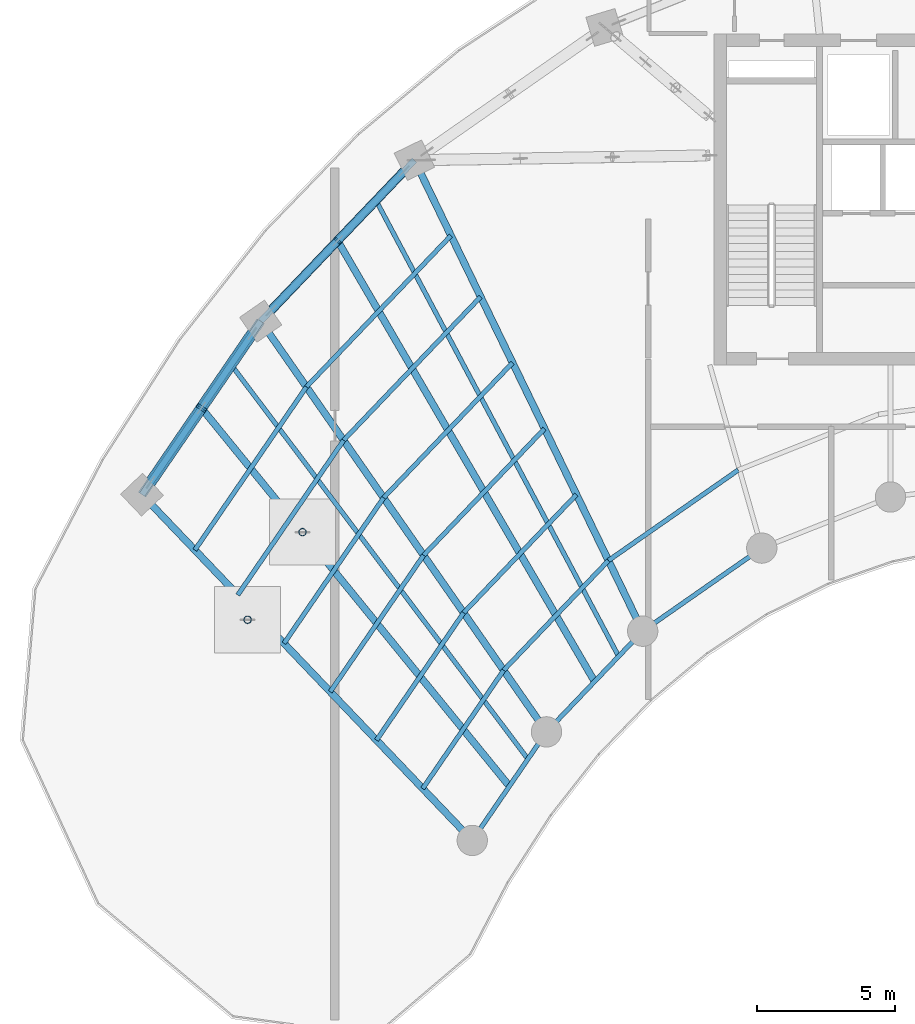
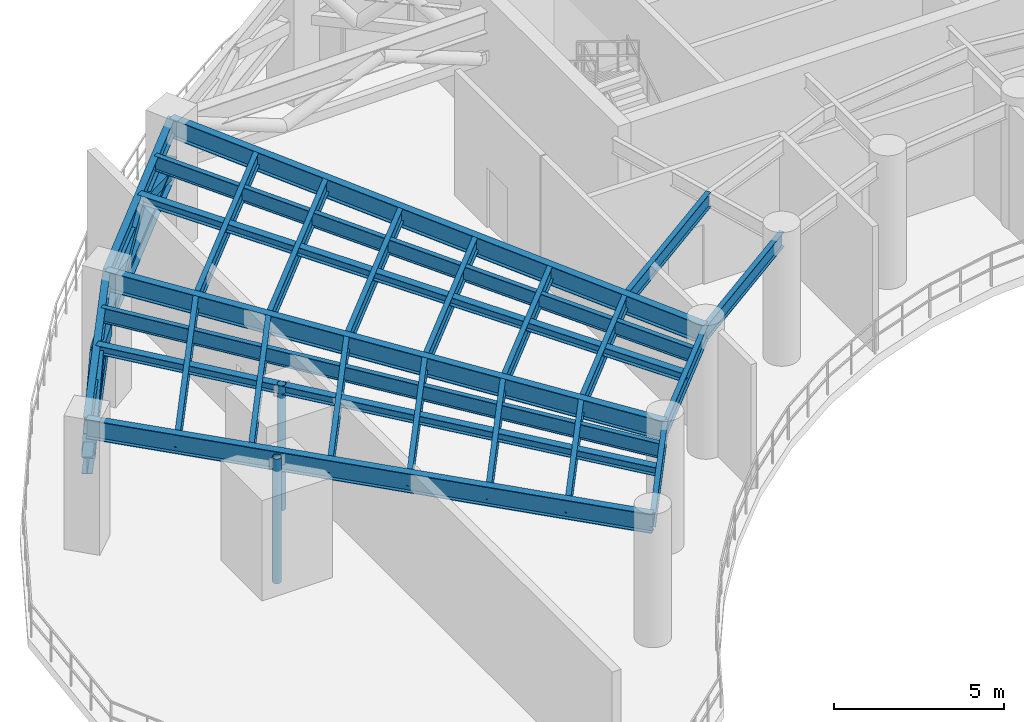
# One storey, part 2 of 24: 27 beams, 6 members.
"""IFC4 building model written with IfcOpenShell, lengths in metres."""

from ifc_helpers import new_model, si_unit, direction, frame, origin, origin_2d, place, context, subcontext, project, spatial, hollow_rectangle, hollow_circle, i_section, extrude, source, transform, mapped, material, material_profile, profile_set, type_object, type_shapes, element, save


model = new_model("IFC4")

# Units and contexts
model_context = context("Model", 3, precision=1e-05, world=origin(), true_north=direction((0.0, 1.0)))
body_context = subcontext(model_context, "Body", "Model", "MODEL_VIEW")
ifc_project = project(units=[si_unit("LENGTHUNIT", "METRE"), si_unit("AREAUNIT", "SQUARE_METRE"), si_unit("VOLUMEUNIT", "CUBIC_METRE"), si_unit("PLANEANGLEUNIT", "RADIAN"), si_unit("MASSUNIT", "GRAM", prefix="KILO")], contexts=[model_context])

# Site, building, storey
site_placement = place(None, origin())
site = spatial("IfcSite", under=ifc_project, at=site_placement, CompositionType="ELEMENT")
building_placement = place(site_placement, origin())
building = spatial("IfcBuilding", under=site, at=building_placement, Name="Breltana Convention Tower", CompositionType="ELEMENT")
storey_placement = place(building_placement, frame((0.0, 0.0, 189.60009765625)))
storey = spatial("IfcBuildingStorey", under=building, at=storey_placement, Name="L46", CompositionType="ELEMENT", Elevation=189.60009765625)

# Beams
ifc_material_1 = material(Name="Steel ASTM A992 Grade 50", Category="steel")
ifc_material_profile_1 = material_profile(ifc_material_1, i_section(OverallWidth=0.323974609375, OverallDepth=0.611083984375, WebThickness=0.0126953125, FlangeThickness=0.01904296875, at=origin_2d()), Name="W24X104")
ifc_profile_set_1 = profile_set([ifc_material_profile_1], Name="Steel ASTM A992 Grade 50")
beam_type_1 = type_object("IfcBeamType", Name="BM-SP-W24X104", PredefinedType="SPANDREL", material=ifc_profile_set_1)
shared_shape_1 = source(origin(), body_context, "Body", "SweptSolid", [
    extrude(i_section(OverallWidth=0.323974609375, OverallDepth=0.611083984375, WebThickness=0.0126953125, FlangeThickness=0.01904296875, at=origin_2d()), origin(), (0.0, 0.0, 1.0), 7.625),
])
type_shapes(beam_type_1, [shared_shape_1])
beam_1_placement = place(storey_placement, frame((16.0068359375, 55.494384765625, 2.75), z_axis=(0.564452031902, 0.825465870694, 0.0), x_axis=(-0.825465870694, 0.564452031902, 0.0)))
element("IfcBeam", 1, at=beam_1_placement, inside=storey, type_object=beam_type_1, Name="L46 Perimeter Belt Truss Sill Chord 01", PredefinedType="SPANDREL", context=body_context, shape_type="MappedRepresentation", body=[
    mapped(shared_shape_1, transform((0.0, 0.0, 0.0), scale=1.0)),
])
shared_shape_2 = source(origin(), body_context, "Body", "SweptSolid", [
    extrude(i_section(OverallWidth=0.323974609375, OverallDepth=0.611083984375, WebThickness=0.0126953125, FlangeThickness=0.01904296875, at=origin_2d()), origin(), (0.0, 0.0, 1.0), 8.073974609375),
])
beam_2_placement = place(storey_placement, frame((20.310791015625, 61.78857421875, 2.75), z_axis=(0.69072885448, 0.723113856588, 0.0), x_axis=(-0.723113856588, 0.69072885448, 0.0)))
element("IfcBeam", 2, at=beam_2_placement, inside=storey, type_object=beam_type_1, Name="L46 Perimeter Belt Truss Sill Chord 02", PredefinedType="SPANDREL", context=body_context, shape_type="MappedRepresentation", body=[
    mapped(shared_shape_2, transform((0.0, 0.0, 0.0), scale=1.0)),
])

# Members
ifc_material_2 = material(Name="Steel EN 10210 S355J2H", Category="steel")
ifc_material_profile_2 = material_profile(ifc_material_2, hollow_rectangle(XDim=0.39990234375, YDim=0.39990234375, WallThickness=0.01611328125, at=origin_2d()), Name="RHS400X400X16")
ifc_profile_set_2 = profile_set([ifc_material_profile_2], Name="Steel EN 10210 S355J2H")
member_type_1 = type_object("IfcMemberType", Name="MB-BR-RHS400X400X16", PredefinedType="BRACE", material=ifc_profile_set_2)
shared_shape_3 = source(origin(), body_context, "Body", "SweptSolid", [
    extrude(hollow_rectangle(XDim=0.39990234375, YDim=0.39990234375, WallThickness=0.01611328125, at=origin_2d()), origin(), (0.0, 0.0, 1.0), 3.5283203125),
])
for number, where, z_axis, x_axis, name in (
    (3, (16.3173828125, 55.948486328125, 2.75), (0.5219315379, 0.763280762903, 0.38077545447), (-0.825465080883, 0.564453186937, 0.0), "L46 Perimeter Belt Truss Brace 01A"),
    (4, (18.158935546875, 58.6416015625, 4.093505859375), (0.5219315379, 0.763280762903, -0.38077545447), (-0.825465080883, 0.564453186937, 0.0), "L46 Perimeter Belt Truss Brace 01B"),
):
    element("IfcMember", number, at=place(storey_placement, frame(where, z_axis=z_axis, x_axis=x_axis)), inside=storey, type_object=member_type_1, Name=name, PredefinedType="BRACE", context=body_context, shape_type="MappedRepresentation", body=[
        mapped(shared_shape_3, transform((0.0, 0.0, 0.0), scale=1.0)),
    ])
ifc_material_profile_3 = material_profile(ifc_material_2, hollow_rectangle(XDim=0.300048828125, YDim=0.300048828125, WallThickness=0.011962890625, at=origin_2d()), Name="RHS300X300X12")
ifc_profile_set_3 = profile_set([ifc_material_profile_3], Name="Steel EN 10210 S355J2H")
member_type_2 = type_object("IfcMemberType", Name="MB-BR-RHS300X300X12", PredefinedType="BRACE", material=ifc_profile_set_3)
shared_shape_4 = source(origin(), body_context, "Body", "SweptSolid", [
    extrude(hollow_rectangle(XDim=0.300048828125, YDim=0.300048828125, WallThickness=0.011962890625, at=origin_2d()), origin(), (0.0, 0.0, 1.0), 3.73681640625),
])
for number, where, z_axis, x_axis, name in (
    (5, (20.69091796875, 62.186279296875, 2.75), (0.644525117069, 0.674775003455, 0.359535906663), (-0.723129787631, 0.690712176121, 0.0), "L46 Perimeter Belt Truss Brace 02A"),
    (6, (23.099365234375, 64.707763671875, 4.093505859375), (0.644525117069, 0.674775003455, -0.359535906663), (-0.723129787631, 0.690712176121, 0.0), "L46 Perimeter Belt Truss Brace 02B"),
):
    element("IfcMember", number, at=place(storey_placement, frame(where, z_axis=z_axis, x_axis=x_axis)), inside=storey, type_object=member_type_2, Name=name, PredefinedType="BRACE", context=body_context, shape_type="MappedRepresentation", body=[
        mapped(shared_shape_4, transform((0.0, 0.0, 0.0), scale=1.0)),
    ])
ifc_material_profile_4 = material_profile(ifc_material_2, hollow_circle(Radius=0.136474609375, WallThickness=0.011962890625, at=origin_2d()), Name="CHS273X12")
ifc_profile_set_4 = profile_set([ifc_material_profile_4], Name="Steel EN 10210 S355J2H")
member_type_3 = type_object("IfcMemberType", Name="MB-ST-CHS273X12", PredefinedType="STRUT", material=ifc_profile_set_4)
shared_shape_5 = source(origin(), body_context, "Body", "SweptSolid", [
    extrude(hollow_circle(Radius=0.136474609375, WallThickness=0.011962890625, at=origin_2d()), origin(), (0.0, 0.0, 1.0), 4.47998046875),
])
type_shapes(member_type_3, [shared_shape_5])
for number, where, z_axis, x_axis, name in (
    (7, (19.8359375, 50.958740234375, 0.0), (0.0, 0.0, 1.0), (1.0, 0.0, 0.0), "Venturi Wind Turbine Support Spindle 1"),
    (8, (21.82666015625, 54.1376953125, 0.0), (0.0, 0.0, 1.0), (1.0, 0.0, 0.0), "Venturi Wind Turbine Support Spindle 2"),
):
    element("IfcMember", number, at=place(storey_placement, frame(where, z_axis=z_axis, x_axis=x_axis)), inside=storey, type_object=member_type_3, Name=name, PredefinedType="STRUT", context=body_context, shape_type="MappedRepresentation", body=[
        mapped(shared_shape_5, transform((0.0, 0.0, 0.0), scale=1.0)),
    ])

# Beams
ifc_material_profile_5 = material_profile(ifc_material_1, i_section(OverallWidth=0.25390625, OverallDepth=0.305908203125, WebThickness=0.0087890625, FlangeThickness=0.0146484375, at=origin_2d()), Name="W12X53")
ifc_profile_set_5 = profile_set([ifc_material_profile_5], Name="Steel ASTM A992 Grade 50")
beam_type_2 = type_object("IfcBeamType", Name="BM-JSG-10", PredefinedType="JOIST", material=ifc_profile_set_5)
shared_shape_6 = source(origin(), body_context, "Body", "SweptSolid", [
    extrude(i_section(OverallWidth=0.25390625, OverallDepth=0.305908203125, WebThickness=0.0087890625, FlangeThickness=0.0146484375, at=origin_2d()), origin(), (0.0, 0.0, 1.0), 17.691650390625),
])
type_shapes(beam_type_2, [shared_shape_6])
beam_3_placement = place(storey_placement, frame((29.330810546875, 44.923583984375, 4.326904296875), z_axis=(-0.631476958478, 0.775394642044, 0.0), x_axis=(-0.775394642044, -0.631476958478, 0.0)))
element("IfcBeam", 9, at=beam_3_placement, inside=storey, type_object=beam_type_2, Name="L46 Mid-Bay Radial Trimmer 01", PredefinedType="JOIST", context=body_context, shape_type="MappedRepresentation", body=[
    mapped(shared_shape_6, transform((0.0, 0.0, 0.0), scale=1.0)),
])
ifc_material_profile_6 = material_profile(ifc_material_1, i_section(OverallWidth=0.166015625, OverallDepth=0.534912109375, WebThickness=0.01025390625, FlangeThickness=0.0166015625, at=origin_2d()), Name="W21X57")
ifc_profile_set_6 = profile_set([ifc_material_profile_6], Name="Steel ASTM A992 Grade 50")
beam_type_3 = type_object("IfcBeamType", Name="BM-JSG-05", PredefinedType="JOIST", material=ifc_profile_set_6)
shared_shape_7 = source(origin(), body_context, "Body", "SweptSolid", [
    extrude(i_section(OverallWidth=0.166015625, OverallDepth=0.534912109375, WebThickness=0.01025390625, FlangeThickness=0.0166015625, at=origin_2d()), origin(), (0.0, 0.0, 1.0), 17.9072265625),
])
beam_4_placement = place(storey_placement, frame((30.00390625, 45.907958984375, 4.21240234375), z_axis=(-0.601382105028, 0.798961553363, 0.0), x_axis=(-0.798961553363, -0.601382105028, 0.0)))
element("IfcBeam", 10, at=beam_4_placement, inside=storey, type_object=beam_type_3, Name="L46 Quarter-Bay Radial Trimmer 01", PredefinedType="JOIST", context=body_context, shape_type="MappedRepresentation", body=[
    mapped(shared_shape_7, transform((0.0, 0.0, 0.0), scale=1.0)),
])
shared_shape_8 = source(origin(), body_context, "Body", "SweptSolid", [
    extrude(i_section(OverallWidth=0.25390625, OverallDepth=0.305908203125, WebThickness=0.0087890625, FlangeThickness=0.0146484375, at=origin_2d()), origin(), (0.0, 0.0, 1.0), 18.50830078125),
])
beam_5_placement = place(storey_placement, frame((32.421630859375, 48.71875, 4.326904296875), z_axis=(-0.50368319637, 0.863888440537, 0.0), x_axis=(-0.863888440537, -0.50368319637, 0.0)))
element("IfcBeam", 11, at=beam_5_placement, inside=storey, type_object=beam_type_2, Name="L46 Mid-Bay Radial Trimmer 02", PredefinedType="JOIST", context=body_context, shape_type="MappedRepresentation", body=[
    mapped(shared_shape_8, transform((0.0, 0.0, 0.0), scale=1.0)),
])
shared_shape_9 = source(origin(), body_context, "Body", "SweptSolid", [
    extrude(i_section(OverallWidth=0.166015625, OverallDepth=0.534912109375, WebThickness=0.01025390625, FlangeThickness=0.0166015625, at=origin_2d()), origin(), (0.0, 0.0, 1.0), 18.731689453125),
])
beam_6_placement = place(storey_placement, frame((33.2939453125, 49.6318359375, 4.21240234375), z_axis=(-0.469820250451, 0.882762104004, 0.0), x_axis=(-0.882762104004, -0.469820250451, 0.0)))
element("IfcBeam", 12, at=beam_6_placement, inside=storey, type_object=beam_type_3, Name="L46 Quarter-Bay Radial Trimmer 02", PredefinedType="JOIST", context=body_context, shape_type="MappedRepresentation", body=[
    mapped(shared_shape_9, transform((0.0, 0.0, 0.0), scale=1.0)),
])
ifc_material_profile_7 = material_profile(ifc_material_1, i_section(OverallWidth=0.25390625, OverallDepth=0.68798828125, WebThickness=0.01318359375, FlangeThickness=0.02099609375, at=origin_2d()), Name="W27X102")
ifc_profile_set_7 = profile_set([ifc_material_profile_7], Name="Steel ASTM A992 Grade 50")
beam_type_4 = type_object("IfcBeamType", Name="BM-RG-W27X102", PredefinedType="USERDEFINED", material=ifc_profile_set_7)
shared_shape_10 = source(origin(), body_context, "Body", "SweptSolid", [
    extrude(i_section(OverallWidth=0.25390625, OverallDepth=0.68798828125, WebThickness=0.01318359375, FlangeThickness=0.02099609375, at=origin_2d()), origin(), (0.0, 0.0, 1.0), 17.341064453125),
])
type_shapes(beam_type_4, [shared_shape_10])
beam_7_placement = place(storey_placement, frame((27.984619140625, 42.95458984375, 4.135986328125), z_axis=(-0.690716462293, 0.723125693581, 0.0), x_axis=(-0.723125693581, -0.690716462293, 0.0)))
element("IfcBeam", 13, at=beam_7_placement, inside=storey, type_object=beam_type_4, Name="L46 Radial Floor Girder R01", ObjectType="GIRDER", PredefinedType="USERDEFINED", context=body_context, shape_type="MappedRepresentation", body=[
    mapped(shared_shape_10, transform((0.0, 0.0, 0.0), scale=1.0)),
])
shared_shape_11 = source(origin(), body_context, "Body", "SweptSolid", [
    extrude(i_section(OverallWidth=0.25390625, OverallDepth=0.68798828125, WebThickness=0.01318359375, FlangeThickness=0.02099609375, at=origin_2d()), origin(), (0.0, 0.0, 1.0), 18.1484375),
])
beam_8_placement = place(storey_placement, frame((30.67724609375, 46.892333984375, 4.135986328125), z_axis=(-0.571207556098, 0.820805657788, 0.0), x_axis=(-0.820805657788, -0.571207556098, 0.0)))
element("IfcBeam", 14, at=beam_8_placement, inside=storey, type_object=beam_type_4, Name="L46 Radial Floor Girder R02", ObjectType="GIRDER", PredefinedType="USERDEFINED", context=body_context, shape_type="MappedRepresentation", body=[
    mapped(shared_shape_11, transform((0.0, 0.0, 0.0), scale=1.0)),
])
shared_shape_12 = source(origin(), body_context, "Body", "SweptSolid", [
    extrude(i_section(OverallWidth=0.25390625, OverallDepth=0.68798828125, WebThickness=0.01318359375, FlangeThickness=0.02099609375, at=origin_2d()), origin(), (0.0, 0.0, 1.0), 18.982421875),
])
beam_9_placement = place(storey_placement, frame((34.166259765625, 50.544921875, 4.135986328125), z_axis=(-0.436118560343, 0.89988921614, 0.0), x_axis=(-0.89988921614, -0.436118560343, 0.0)))
element("IfcBeam", 15, at=beam_9_placement, inside=storey, type_object=beam_type_4, Name="L46 Radial Floor Girder R03", ObjectType="GIRDER", PredefinedType="USERDEFINED", context=body_context, shape_type="MappedRepresentation", body=[
    mapped(shared_shape_12, transform((0.0, 0.0, 0.0), scale=1.0)),
])
ifc_material_profile_8 = material_profile(ifc_material_1, i_section(OverallWidth=0.166015625, OverallDepth=0.534912109375, WebThickness=0.01025390625, FlangeThickness=0.0166015625, at=origin_2d()), Name="W21X57")
ifc_profile_set_8 = profile_set([ifc_material_profile_8], Name="Steel ASTM A992 Grade 50")
beam_type_5 = type_object("IfcBeamType", Name="BM-BM-W21X57", PredefinedType="BEAM", material=ifc_profile_set_8)
shared_shape_13 = source(origin(), body_context, "Body", "SweptSolid", [
    extrude(i_section(OverallWidth=0.166015625, OverallDepth=0.534912109375, WebThickness=0.01025390625, FlangeThickness=0.0166015625, at=origin_2d()), origin(), (0.0, 0.0, 1.0), 4.770263671875),
])
beam_10_placement = place(storey_placement, frame((27.984619140625, 42.95458984375, 4.21240234375), z_axis=(0.564452719055, 0.82546540082, 0.0), x_axis=(-0.82546540082, 0.564452719055, 0.0)))
element("IfcBeam", 16, at=beam_10_placement, inside=storey, type_object=beam_type_5, Name="L46 Inner Ring Beam 01", PredefinedType="BEAM", context=body_context, shape_type="MappedRepresentation", body=[
    mapped(shared_shape_13, transform((0.0, 0.0, 0.0), scale=1.0)),
])
ifc_material_profile_9 = material_profile(ifc_material_1, i_section(OverallWidth=0.22802734375, OverallDepth=0.60791015625, WebThickness=0.01123046875, FlangeThickness=0.017333984375, at=origin_2d()), Name="W24X76")
ifc_profile_set_9 = profile_set([ifc_material_profile_9], Name="Steel ASTM A992 Grade 50")
beam_type_6 = type_object("IfcBeamType", Name="BM-SP-W24X76", PredefinedType="SPANDREL", material=ifc_profile_set_9)
shared_shape_14 = source(origin(), body_context, "Body", "SweptSolid", [
    extrude(i_section(OverallWidth=0.22802734375, OverallDepth=0.60791015625, WebThickness=0.01123046875, FlangeThickness=0.017333984375, at=origin_2d()), origin(), (0.0, 0.0, 1.0), 7.625),
])
type_shapes(beam_type_6, [shared_shape_14])
beam_11_placement = place(storey_placement, frame((16.0068359375, 55.494384765625, 4.17578125), z_axis=(0.564452031902, 0.825465870694, 0.0), x_axis=(-0.825465870694, 0.564452031902, 0.0)))
element("IfcBeam", 17, at=beam_11_placement, inside=storey, type_object=beam_type_6, Name="L46 Outer Spandrel Beam 01", PredefinedType="SPANDREL", context=body_context, shape_type="MappedRepresentation", body=[
    mapped(shared_shape_14, transform((0.0, 0.0, 0.0), scale=1.0)),
])
shared_shape_15 = source(origin(), body_context, "Body", "SweptSolid", [
    extrude(i_section(OverallWidth=0.166015625, OverallDepth=0.534912109375, WebThickness=0.01025390625, FlangeThickness=0.0166015625, at=origin_2d()), origin(), (0.0, 0.0, 1.0), 5.05126953125),
])
beam_12_placement = place(storey_placement, frame((30.67724609375, 46.892333984375, 4.21240234375), z_axis=(0.690729753845, 0.7231129975, 0.0), x_axis=(-0.7231129975, 0.690729753845, 0.0)))
element("IfcBeam", 18, at=beam_12_placement, inside=storey, type_object=beam_type_5, Name="L46 Inner Ring Beam 02", PredefinedType="BEAM", context=body_context, shape_type="MappedRepresentation", body=[
    mapped(shared_shape_15, transform((0.0, 0.0, 0.0), scale=1.0)),
])
shared_shape_16 = source(origin(), body_context, "Body", "SweptSolid", [
    extrude(i_section(OverallWidth=0.22802734375, OverallDepth=0.60791015625, WebThickness=0.01123046875, FlangeThickness=0.017333984375, at=origin_2d()), origin(), (0.0, 0.0, 1.0), 8.073974609375),
])
beam_13_placement = place(storey_placement, frame((20.310791015625, 61.78857421875, 4.17578125), z_axis=(0.69072885448, 0.723113856588, 0.0), x_axis=(-0.723113856588, 0.69072885448, 0.0)))
element("IfcBeam", 19, at=beam_13_placement, inside=storey, type_object=beam_type_6, Name="L46 Outer Spandrel Beam 02", PredefinedType="SPANDREL", context=body_context, shape_type="MappedRepresentation", body=[
    mapped(shared_shape_16, transform((0.0, 0.0, 0.0), scale=1.0)),
])
shared_shape_17 = source(origin(), body_context, "Body", "SweptSolid", [
    extrude(i_section(OverallWidth=0.166015625, OverallDepth=0.534912109375, WebThickness=0.01025390625, FlangeThickness=0.0166015625, at=origin_2d()), origin(), (0.0, 0.0, 1.0), 5.265869140625),
])
beam_14_placement = place(storey_placement, frame((34.166259765625, 50.544921875, 4.21240234375), z_axis=(0.820167429517, 0.572123577176, 0.0), x_axis=(-0.572123577176, 0.820167429517, 0.0)))
element("IfcBeam", 20, at=beam_14_placement, inside=storey, type_object=beam_type_5, Name="L46 Inner Ring Beam 03", PredefinedType="BEAM", context=body_context, shape_type="MappedRepresentation", body=[
    mapped(shared_shape_17, transform((0.0, 0.0, 0.0), scale=1.0)),
])
shared_shape_18 = source(origin(), body_context, "Body", "SweptSolid", [
    extrude(i_section(OverallWidth=0.166015625, OverallDepth=0.534912109375, WebThickness=0.01025390625, FlangeThickness=0.0166015625, at=origin_2d()), origin(), (0.0, 0.0, 1.0), 5.198486328125),
])
beam_15_placement = place(storey_placement, frame((26.187744140625, 44.835693359375, 4.21240234375), z_axis=(0.564502073134, 0.825431650367, 0.0), x_axis=(-0.825431650367, 0.564502073134, 0.0)))
element("IfcBeam", 21, at=beam_15_placement, inside=storey, type_object=beam_type_3, Name="L46 Composite Floor Joist 01.1", PredefinedType="JOIST", context=body_context, shape_type="MappedRepresentation", body=[
    mapped(shared_shape_18, transform((0.0, 0.0, 0.0), scale=1.0)),
])
shared_shape_19 = source(origin(), body_context, "Body", "SweptSolid", [
    extrude(i_section(OverallWidth=0.166015625, OverallDepth=0.534912109375, WebThickness=0.01025390625, FlangeThickness=0.0166015625, at=origin_2d()), origin(), (0.0, 0.0, 1.0), 5.59814453125),
])
beam_16_placement = place(storey_placement, frame((24.510986328125, 46.59130859375, 4.21240234375), z_axis=(0.564454073219, 0.825464474842, 0.0), x_axis=(-0.825464474842, 0.564454073219, 0.0)))
element("IfcBeam", 22, at=beam_16_placement, inside=storey, type_object=beam_type_3, Name="L46 Composite Floor Joist 01.2", PredefinedType="JOIST", context=body_context, shape_type="MappedRepresentation", body=[
    mapped(shared_shape_19, transform((0.0, 0.0, 0.0), scale=1.0)),
])
shared_shape_20 = source(origin(), body_context, "Body", "SweptSolid", [
    extrude(i_section(OverallWidth=0.166015625, OverallDepth=0.534912109375, WebThickness=0.01025390625, FlangeThickness=0.0166015625, at=origin_2d()), origin(), (0.0, 0.0, 1.0), 5.998046875),
])
beam_17_placement = place(storey_placement, frame((22.833984375, 48.3466796875, 4.21240234375), z_axis=(0.564467940449, 0.825454992235, 0.0), x_axis=(-0.825454992235, 0.564467940449, 0.0)))
element("IfcBeam", 23, at=beam_17_placement, inside=storey, type_object=beam_type_3, Name="L46 Composite Floor Joist 01.3", PredefinedType="JOIST", context=body_context, shape_type="MappedRepresentation", body=[
    mapped(shared_shape_20, transform((0.0, 0.0, 0.0), scale=1.0)),
])
shared_shape_21 = source(origin(), body_context, "Body", "SweptSolid", [
    extrude(i_section(OverallWidth=0.166015625, OverallDepth=0.534912109375, WebThickness=0.01025390625, FlangeThickness=0.0166015625, at=origin_2d()), origin(), (0.0, 0.0, 1.0), 6.3974609375),
])
beam_18_placement = place(storey_placement, frame((21.1572265625, 50.102294921875, 4.21240234375), z_axis=(0.564445851125, 0.825470097065, 0.0), x_axis=(-0.825470097065, 0.564445851125, 0.0)))
element("IfcBeam", 24, at=beam_18_placement, inside=storey, type_object=beam_type_3, Name="L46 Composite Floor Joist 01.4", PredefinedType="JOIST", context=body_context, shape_type="MappedRepresentation", body=[
    mapped(shared_shape_21, transform((0.0, 0.0, 0.0), scale=1.0)),
])
shared_shape_22 = source(origin(), body_context, "Body", "SweptSolid", [
    extrude(i_section(OverallWidth=0.166015625, OverallDepth=0.534912109375, WebThickness=0.01025390625, FlangeThickness=0.0166015625, at=origin_2d()), origin(), (0.0, 0.0, 1.0), 6.79736328125),
])
beam_19_placement = place(storey_placement, frame((19.480224609375, 51.85791015625, 4.21240234375), z_axis=(0.564475306504, 0.825449955083, 0.0), x_axis=(-0.825449955083, 0.564475306504, 0.0)))
element("IfcBeam", 25, at=beam_19_placement, inside=storey, type_object=beam_type_3, Name="L46 Composite Floor Joist 01.5", PredefinedType="JOIST", context=body_context, shape_type="MappedRepresentation", body=[
    mapped(shared_shape_22, transform((0.0, 0.0, 0.0), scale=1.0)),
])
shared_shape_23 = source(origin(), body_context, "Body", "SweptSolid", [
    extrude(i_section(OverallWidth=0.166015625, OverallDepth=0.534912109375, WebThickness=0.01025390625, FlangeThickness=0.0166015625, at=origin_2d()), origin(), (0.0, 0.0, 1.0), 7.16845703125),
])
beam_20_placement = place(storey_placement, frame((17.923095703125, 53.488037109375, 4.21240234375), z_axis=(0.564470233585, 0.825453424123, 0.0), x_axis=(-0.825453424123, 0.564470233585, 0.0)))
element("IfcBeam", 26, at=beam_20_placement, inside=storey, type_object=beam_type_3, Name="L46 Composite Floor Joist 01.6", PredefinedType="JOIST", context=body_context, shape_type="MappedRepresentation", body=[
    mapped(shared_shape_23, transform((0.0, 0.0, 0.0), scale=1.0)),
])
shared_shape_24 = source(origin(), body_context, "Body", "SweptSolid", [
    extrude(i_section(OverallWidth=0.166015625, OverallDepth=0.534912109375, WebThickness=0.01025390625, FlangeThickness=0.0166015625, at=origin_2d()), origin(), (0.0, 0.0, 1.0), 5.504638671875),
])
beam_21_placement = place(storey_placement, frame((29.122314453125, 49.126708984375, 4.21240234375), z_axis=(0.690687741728, 0.72315312585, 0.0), x_axis=(-0.72315312585, 0.690687741728, 0.0)))
element("IfcBeam", 27, at=beam_21_placement, inside=storey, type_object=beam_type_3, Name="L46 Composite Floor Joist 02.1", PredefinedType="JOIST", context=body_context, shape_type="MappedRepresentation", body=[
    mapped(shared_shape_24, transform((0.0, 0.0, 0.0), scale=1.0)),
])
shared_shape_25 = source(origin(), body_context, "Body", "SweptSolid", [
    extrude(i_section(OverallWidth=0.166015625, OverallDepth=0.534912109375, WebThickness=0.01025390625, FlangeThickness=0.0166015625, at=origin_2d()), origin(), (0.0, 0.0, 1.0), 5.927734375),
])
beam_22_placement = place(storey_placement, frame((27.6708984375, 51.21240234375, 4.21240234375), z_axis=(0.69073528717, 0.723107711934, 0.0), x_axis=(-0.723107711934, 0.69073528717, 0.0)))
element("IfcBeam", 28, at=beam_22_placement, inside=storey, type_object=beam_type_3, Name="L46 Composite Floor Joist 02.2", PredefinedType="JOIST", context=body_context, shape_type="MappedRepresentation", body=[
    mapped(shared_shape_25, transform((0.0, 0.0, 0.0), scale=1.0)),
])
shared_shape_26 = source(origin(), body_context, "Body", "SweptSolid", [
    extrude(i_section(OverallWidth=0.166015625, OverallDepth=0.534912109375, WebThickness=0.01025390625, FlangeThickness=0.0166015625, at=origin_2d()), origin(), (0.0, 0.0, 1.0), 6.35107421875),
])
beam_23_placement = place(storey_placement, frame((26.2197265625, 53.2978515625, 4.21240234375), z_axis=(0.69071799369, 0.723124230816, 0.0), x_axis=(-0.723124230816, 0.69071799369, 0.0)))
element("IfcBeam", 29, at=beam_23_placement, inside=storey, type_object=beam_type_3, Name="L46 Composite Floor Joist 02.3", PredefinedType="JOIST", context=body_context, shape_type="MappedRepresentation", body=[
    mapped(shared_shape_26, transform((0.0, 0.0, 0.0), scale=1.0)),
])
shared_shape_27 = source(origin(), body_context, "Body", "SweptSolid", [
    extrude(i_section(OverallWidth=0.166015625, OverallDepth=0.534912109375, WebThickness=0.01025390625, FlangeThickness=0.0166015625, at=origin_2d()), origin(), (0.0, 0.0, 1.0), 6.774169921875),
])
beam_24_placement = place(storey_placement, frame((24.768310546875, 55.38330078125, 4.21240234375), z_axis=(0.690739707184, 0.723103489771, 0.0), x_axis=(-0.723103489771, 0.690739707184, 0.0)))
element("IfcBeam", 30, at=beam_24_placement, inside=storey, type_object=beam_type_3, Name="L46 Composite Floor Joist 02.4", PredefinedType="JOIST", context=body_context, shape_type="MappedRepresentation", body=[
    mapped(shared_shape_27, transform((0.0, 0.0, 0.0), scale=1.0)),
])
shared_shape_28 = source(origin(), body_context, "Body", "SweptSolid", [
    extrude(i_section(OverallWidth=0.166015625, OverallDepth=0.534912109375, WebThickness=0.01025390625, FlangeThickness=0.0166015625, at=origin_2d()), origin(), (0.0, 0.0, 1.0), 7.197265625),
])
beam_25_placement = place(storey_placement, frame((23.317138671875, 57.46875, 4.21240234375), z_axis=(0.690741130438, 0.723102130214, 0.0), x_axis=(-0.723102130214, 0.690741130438, 0.0)))
element("IfcBeam", 31, at=beam_25_placement, inside=storey, type_object=beam_type_3, Name="L46 Composite Floor Joist 02.5", PredefinedType="JOIST", context=body_context, shape_type="MappedRepresentation", body=[
    mapped(shared_shape_28, transform((0.0, 0.0, 0.0), scale=1.0)),
])
shared_shape_29 = source(origin(), body_context, "Body", "SweptSolid", [
    extrude(i_section(OverallWidth=0.166015625, OverallDepth=0.534912109375, WebThickness=0.01025390625, FlangeThickness=0.0166015625, at=origin_2d()), origin(), (0.0, 0.0, 1.0), 7.59033203125),
])
beam_26_placement = place(storey_placement, frame((21.969482421875, 59.4052734375, 4.21240234375), z_axis=(0.690742686271, 0.723100644007, 0.0), x_axis=(-0.723100644007, 0.690742686271, 0.0)))
element("IfcBeam", 32, at=beam_26_placement, inside=storey, type_object=beam_type_3, Name="L46 Composite Floor Joist 02.6", PredefinedType="JOIST", context=body_context, shape_type="MappedRepresentation", body=[
    mapped(shared_shape_29, transform((0.0, 0.0, 0.0), scale=1.0)),
])
shared_shape_30 = source(origin(), body_context, "Body", "SweptSolid", [
    extrude(i_section(OverallWidth=0.166015625, OverallDepth=0.534912109375, WebThickness=0.01025390625, FlangeThickness=0.0166015625, at=origin_2d()), origin(), (0.0, 0.0, 1.0), 5.738525390625),
])
beam_27_placement = place(storey_placement, frame((32.92431640625, 53.107421875, 4.21240234375), z_axis=(0.820182201694, 0.572102399947, 0.0), x_axis=(-0.572102399947, 0.820182201694, 0.0)))
element("IfcBeam", 33, at=beam_27_placement, inside=storey, type_object=beam_type_3, Name="L46 Composite Floor Joist 03.1", PredefinedType="JOIST", context=body_context, shape_type="MappedRepresentation", body=[
    mapped(shared_shape_30, transform((0.0, 0.0, 0.0), scale=1.0)),
])

save(model, "model.ifc")
